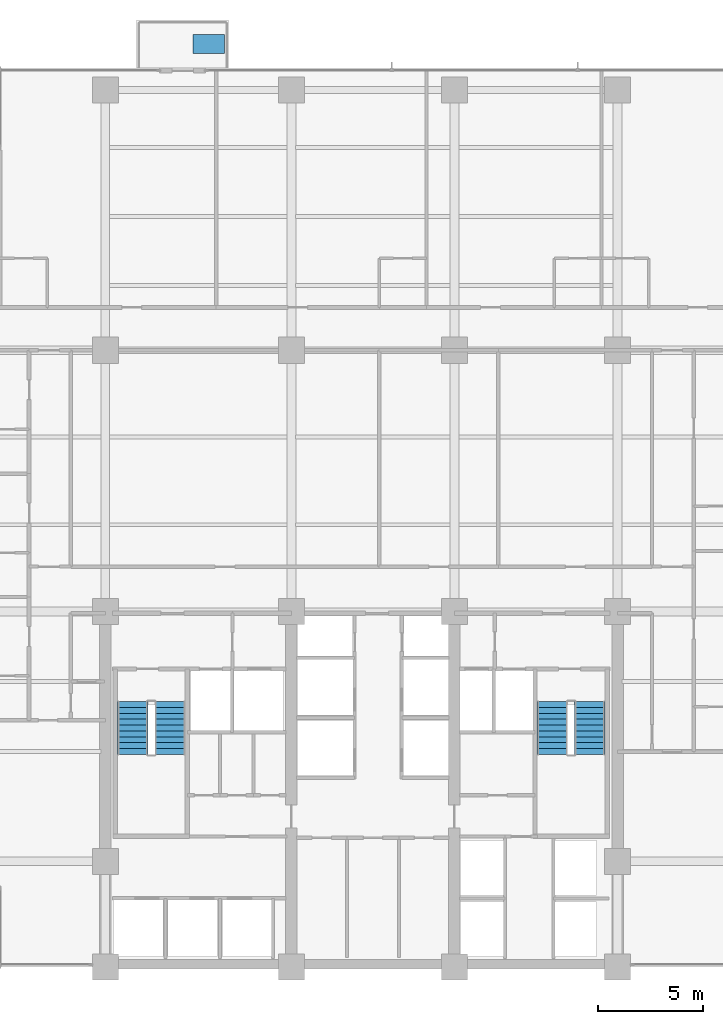
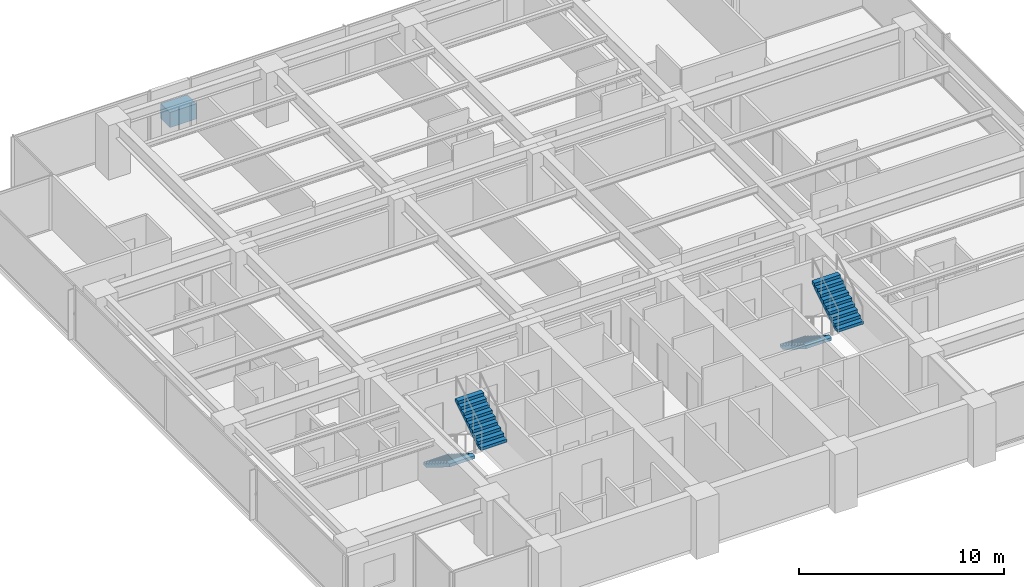
# One storey, part 12 of 18: 4 stair flights, 1 discrete accessory, 2 elements without a shape of their own.
"""IFC4 building model written with IfcOpenShell, lengths in metres."""

from ifc_helpers import new_model, si_unit, direction, frame, origin, place, context, subcontext, project, spatial, polyline, outline, extrude, material, layer, layer_set, type_object, element, aggregate, save


model = new_model("IFC4")

# Units and contexts
model_context = context("Model", 3, precision=1e-05, world=origin(), true_north=direction((0.0, 1.0)))
body_context = subcontext(model_context, "Body", "Model", "MODEL_VIEW")
ifc_project = project(units=[si_unit("LENGTHUNIT", "METRE"), si_unit("AREAUNIT", "SQUARE_METRE"), si_unit("VOLUMEUNIT", "CUBIC_METRE"), si_unit("PLANEANGLEUNIT", "RADIAN"), si_unit("MASSUNIT", "GRAM", prefix="KILO")], contexts=[model_context])

# Site, building, storey
site_placement = place(None, origin())
site = spatial("IfcSite", under=ifc_project, at=site_placement, CompositionType="ELEMENT")
building_placement = place(site_placement, origin())
building = spatial("IfcBuilding", under=site, at=building_placement, Name="Qalmaran Belvedere Hotel", CompositionType="ELEMENT")
storey_placement = place(building_placement, frame((0.0, 0.0, 95.199951171875)))
storey = spatial("IfcBuildingStorey", under=building, at=storey_placement, Name="L23", CompositionType="ELEMENT", Elevation=95.199951171875)

# Stair, stair flights
ifc_material = material(Name="Concrete C40/50", Category="concrete")
stair_type_1 = type_object("IfcStairType", Name="STR-ST-1-1450-R1750", PredefinedType="HALF_TURN_STAIR", material=ifc_material)
stair_1_placement = place(storey_placement, origin())
stair_1 = element("IfcStair", 1, at=stair_1_placement, inside=storey, type_object=stair_type_1, Name="L23 West Core Exit Stair ST-1", PredefinedType="HALF_TURN_STAIR")
ifc_layer_1 = layer(ifc_material, 0.14990234375, Name="Concrete C40/50")
ifc_layer_set_1 = layer_set([ifc_layer_1], Name="Concrete C40/50")
stair_flight_type_1 = type_object("IfcStairFlightType", Name="STF-ST-1-1450-R1750", PredefinedType="STRAIGHT", material=ifc_layer_set_1)
stair_flight_1_placement = place(storey_placement, frame((21.60498046875, 16.18994140625, 0.0), z_axis=(0.0, 0.0, 1.0), x_axis=(0.0, -1.0, 0.0)))
stair_flight_1 = element("IfcStairFlight", 2, at=stair_flight_1_placement, type_object=stair_flight_type_1, Name="ST-1 flight 1", NumberOfRisers=10, NumberOfTreads=9, PredefinedType="STRAIGHT", RiserHeight=0.175, TreadLength=0.28, context=body_context, shape_type="SweptSolid", body=[
    extrude(outline(polyline([(0.0, 0.0), (0.0, 0.175048828125), (0.280029296875, 0.175048828125), (0.280029296875, 0.35009765625), (0.56005859375, 0.35009765625), (0.56005859375, 0.52490234375), (0.840087890625, 0.52490234375), (0.840087890625, 0.699951171875), (1.1201171875, 0.699951171875), (1.1201171875, 0.875), (1.39990234375, 0.875), (1.39990234375, 1.050048828125), (1.679931640625, 1.050048828125), (1.679931640625, 1.22509765625), (1.9599609375, 1.22509765625), (1.9599609375, 1.39990234375), (2.239990234375, 1.39990234375), (2.239990234375, 1.574951171875), (2.52001953125, 1.574951171875), (2.52001953125, 1.75), (2.52001953125, 1.398193359375), (0.28271484375, 0.0), (0.0, 0.0)])), frame((0.0, 0.72509765625, 0.0), z_axis=(0.0, -1.0, 0.0), x_axis=(1.0, 0.0, 0.0)), (0.0, 0.0, 1.0), 1.449951171875),
])
stair_flight_2_placement = place(storey_placement, frame((23.39501953125, 13.669921875, 1.75), z_axis=(0.0, 0.0, 1.0), x_axis=(0.0, 1.0, 0.0)))
stair_flight_2 = element("IfcStairFlight", 3, at=stair_flight_2_placement, type_object=stair_flight_type_1, Name="ST-1 flight 2", NumberOfRisers=10, NumberOfTreads=9, PredefinedType="STRAIGHT", RiserHeight=0.175, TreadLength=0.28, context=body_context, shape_type="SweptSolid", body=[
    extrude(outline(polyline([(0.0, 0.0), (0.0, 0.175048828125), (0.280029296875, 0.175048828125), (0.280029296875, 0.35009765625), (0.56005859375, 0.35009765625), (0.56005859375, 0.52490234375), (0.840087890625, 0.52490234375), (0.840087890625, 0.699951171875), (1.1201171875, 0.699951171875), (1.1201171875, 0.875), (1.39990234375, 0.875), (1.39990234375, 1.050048828125), (1.679931640625, 1.050048828125), (1.679931640625, 1.22509765625), (1.9599609375, 1.22509765625), (1.9599609375, 1.39990234375), (2.239990234375, 1.39990234375), (2.239990234375, 1.574951171875), (2.52001953125, 1.574951171875), (2.52001953125, 1.75), (2.52001953125, 1.398193359375), (0.28271484375, 0.0), (0.0, 0.0)])), frame((0.0, 0.72509765625, 0.0), z_axis=(0.0, -1.0, 0.0), x_axis=(1.0, 0.0, 0.0)), (0.0, 0.0, 1.0), 1.449951171875),
])
aggregate(stair_1, [stair_flight_1, stair_flight_2])

stair_type_2 = type_object("IfcStairType", Name="STR-ST-2-1450-R1750", PredefinedType="HALF_TURN_STAIR", material=ifc_material)
stair_2_placement = place(storey_placement, origin())
stair_2 = element("IfcStair", 4, at=stair_2_placement, inside=storey, type_object=stair_type_2, Name="L23 East Core Exit Stair ST-2", PredefinedType="HALF_TURN_STAIR")
ifc_layer_2 = layer(ifc_material, 0.14990234375, Name="Concrete C40/50")
ifc_layer_set_2 = layer_set([ifc_layer_2], Name="Concrete C40/50")
stair_flight_type_2 = type_object("IfcStairFlightType", Name="STF-ST-2-1450-R1750", PredefinedType="STRAIGHT", material=ifc_layer_set_2)
stair_flight_3_placement = place(storey_placement, frame((41.68505859375, 16.18994140625, 0.0), z_axis=(0.0, 0.0, 1.0), x_axis=(0.0, -1.0, 0.0)))
stair_flight_3 = element("IfcStairFlight", 5, at=stair_flight_3_placement, type_object=stair_flight_type_2, Name="ST-2 flight 1", NumberOfRisers=10, NumberOfTreads=9, PredefinedType="STRAIGHT", RiserHeight=0.175, TreadLength=0.28, context=body_context, shape_type="SweptSolid", body=[
    extrude(outline(polyline([(0.0, 0.0), (0.0, 0.175048828125), (0.280029296875, 0.175048828125), (0.280029296875, 0.35009765625), (0.56005859375, 0.35009765625), (0.56005859375, 0.52490234375), (0.840087890625, 0.52490234375), (0.840087890625, 0.699951171875), (1.1201171875, 0.699951171875), (1.1201171875, 0.875), (1.39990234375, 0.875), (1.39990234375, 1.050048828125), (1.679931640625, 1.050048828125), (1.679931640625, 1.22509765625), (1.9599609375, 1.22509765625), (1.9599609375, 1.39990234375), (2.239990234375, 1.39990234375), (2.239990234375, 1.574951171875), (2.52001953125, 1.574951171875), (2.52001953125, 1.75), (2.52001953125, 1.398193359375), (0.28271484375, 0.0), (0.0, 0.0)])), frame((0.0, 0.72509765625, 0.0), z_axis=(0.0, -1.0, 0.0), x_axis=(1.0, 0.0, 0.0)), (0.0, 0.0, 1.0), 1.449951171875),
])
stair_flight_4_placement = place(storey_placement, frame((43.47509765625, 13.669921875, 1.75), z_axis=(0.0, 0.0, 1.0), x_axis=(0.0, 1.0, 0.0)))
stair_flight_4 = element("IfcStairFlight", 6, at=stair_flight_4_placement, type_object=stair_flight_type_2, Name="ST-2 flight 2", NumberOfRisers=10, NumberOfTreads=9, PredefinedType="STRAIGHT", RiserHeight=0.175, TreadLength=0.28, context=body_context, shape_type="SweptSolid", body=[
    extrude(outline(polyline([(0.0, 0.0), (0.0, 0.175048828125), (0.280029296875, 0.175048828125), (0.280029296875, 0.35009765625), (0.56005859375, 0.35009765625), (0.56005859375, 0.52490234375), (0.840087890625, 0.52490234375), (0.840087890625, 0.699951171875), (1.1201171875, 0.699951171875), (1.1201171875, 0.875), (1.39990234375, 0.875), (1.39990234375, 1.050048828125), (1.679931640625, 1.050048828125), (1.679931640625, 1.22509765625), (1.9599609375, 1.22509765625), (1.9599609375, 1.39990234375), (2.239990234375, 1.39990234375), (2.239990234375, 1.574951171875), (2.52001953125, 1.574951171875), (2.52001953125, 1.75), (2.52001953125, 1.398193359375), (0.28271484375, 0.0), (0.0, 0.0)])), frame((0.0, 0.72509765625, 0.0), z_axis=(0.0, -1.0, 0.0), x_axis=(1.0, 0.0, 0.0)), (0.0, 0.0, 1.0), 1.449951171875),
])
aggregate(stair_2, [stair_flight_3, stair_flight_4])

# Discrete accessory
discrete_accessory_type = type_object("IfcDiscreteAccessoryType", Name="PLN-BAL-1500", PredefinedType="USERDEFINED", material=ifc_material)
discrete_accessory_placement = place(storey_placement, origin())
element("IfcDiscreteAccessory", 7, at=discrete_accessory_placement, inside=storey, type_object=discrete_accessory_type, Name="L23 Sky Tree Planter", ObjectType="PLANTER", PredefinedType="USERDEFINED", context=body_context, shape_type="SweptSolid", body=[
    extrude(outline(polyline([(24.5, 47.199951171875), (26.0, 47.199951171875), (26.0, 48.10009765625), (24.5, 48.10009765625), (24.5, 47.199951171875)])), origin(), (0.0, 0.0, 1.0), 0.900146484375),
])

save(model, "model.ifc")
